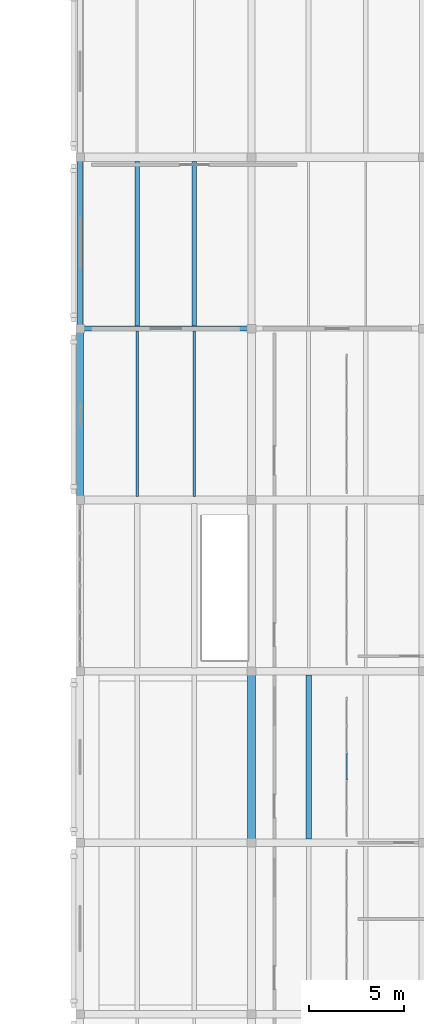
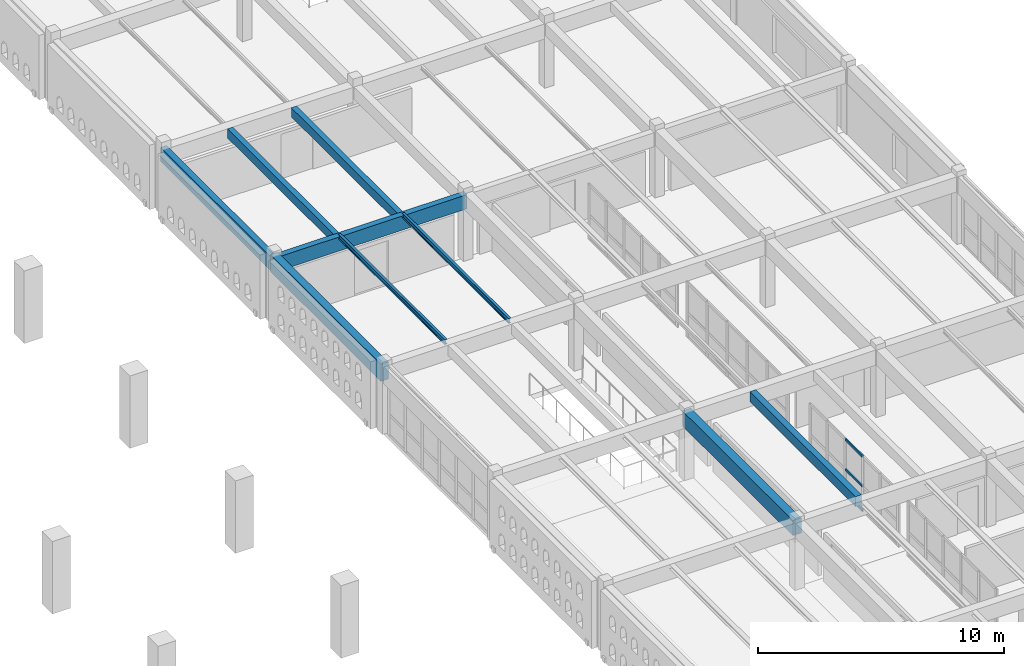
# One storey, part 40 of 80: 9 beams, 3 members, 1 element without a shape of its own.
"""IFC4 building model written with IfcOpenShell, lengths in metres."""

import ifcopenshell
import ifcopenshell.guid

model = None  # the IFC model being written
_history = None  # IfcOwnerHistory: only IFC2X3 demands one
_inside = {}  # id of a spatial element -> (the spatial element, [elements in it])
_under = {}  # id of a project, library or spatial element -> (it, [spatial elements below it])
_declared = {}  # id of a project -> (the project, [libraries it declares])
_typed = {}  # id of a type object -> (the type object, [elements of that type])
_made_of = {}  # id of a material, layer set ... -> (it, [elements and type objects made of it])


def new_model(schema):
    """Start an empty IFC model of exactly this schema.

    Asked for "IFC4X3", IfcOpenShell would pick the latest addendum, in which some entities
    have other attributes; the version numbers below select the first issue.
    IFC2X3 requires an IfcOwnerHistory on every rooted entity: one is made here for all.
    """
    global model, _history
    if schema == "IFC4X3":
        model = ifcopenshell.file(schema_version=(4, 3, 0, 0))
    else:
        model = ifcopenshell.file(schema=schema)
    _inside.clear()
    _under.clear()
    _declared.clear()
    _typed.clear()
    _made_of.clear()
    _history = None
    if model.schema == "IFC2X3":
        org = make("IfcOrganization", Name="unknown")
        user = make(
            "IfcPersonAndOrganization",
            ThePerson=make("IfcPerson", FamilyName="unknown"),
            TheOrganization=org,
        )
        app = make(
            "IfcApplication",
            ApplicationDeveloper=org,
            Version="unknown",
            ApplicationFullName="unknown",
            ApplicationIdentifier="unknown",
        )
        _history = make(
            "IfcOwnerHistory",
            OwningUser=user,
            OwningApplication=app,
            ChangeAction="ADDED",
            CreationDate=0,
        )
    return model


def make(cls, **values):
    """One entity of the class cls with the attributes given. An attribute that is None is left unset."""
    return model.create_entity(
        cls, **{name: value for name, value in values.items() if value is not None}
    )


def rooted(cls, **values):
    """An entity with a GlobalId (a new one), such as an element, a storey or a relation."""
    return make(cls, GlobalId=ifcopenshell.guid.new(), OwnerHistory=_history, **values)


def si_unit(unit_type, name, prefix=None):
    """IfcSIUnit, for example si_unit("LENGTHUNIT", "METRE", prefix="MILLI")."""
    return make("IfcSIUnit", UnitType=unit_type, Prefix=prefix, Name=name)


def assignment(units):
    """IfcUnitAssignment: the units of a project."""
    return None if units is None else make("IfcUnitAssignment", Units=units)


def point(xyz):
    """IfcCartesianPoint."""
    return None if xyz is None else make("IfcCartesianPoint", Coordinates=xyz)


def direction(xyz):
    """IfcDirection."""
    return None if xyz is None else make("IfcDirection", DirectionRatios=xyz)


def frame(location, z_axis=None, x_axis=None):
    """IfcAxis2Placement3D, a coordinate frame: its origin and axes. An axis left out is left unset."""
    return make(
        "IfcAxis2Placement3D",
        Location=point(location),
        Axis=direction(z_axis),
        RefDirection=direction(x_axis),
    )


def frame_2d(location, x_axis=None):
    """IfcAxis2Placement2D, a coordinate frame in the plane: its origin and x axis."""
    return make(
        "IfcAxis2Placement2D", Location=point(location), RefDirection=direction(x_axis)
    )


def origin():
    """The frame at (0, 0, 0) with its axes left unset."""
    return frame((0.0, 0.0, 0.0))


def origin_2d():
    """The frame at (0, 0) in the plane with its x axis left unset."""
    return frame_2d((0.0, 0.0))


def place(relative_to, where):
    """IfcLocalPlacement: puts the frame where relative to a parent placement (None: the world)."""
    return make(
        "IfcLocalPlacement", PlacementRelTo=relative_to, RelativePlacement=where
    )


def context(
    kind, dimensions, precision=None, world=None, true_north=None, identifier=None
):
    """IfcGeometricRepresentationContext, for example the 3D "Model" context."""
    return make(
        "IfcGeometricRepresentationContext",
        ContextIdentifier=identifier,
        ContextType=kind,
        CoordinateSpaceDimension=dimensions,
        Precision=precision,
        WorldCoordinateSystem=world,
        TrueNorth=true_north,
    )


def subcontext(parent, identifier, kind, view, scale=None):
    """IfcGeometricRepresentationSubContext, for example "Body" below "Model"."""
    return make(
        "IfcGeometricRepresentationSubContext",
        ContextIdentifier=identifier,
        ContextType=kind,
        ParentContext=parent,
        TargetScale=scale,
        TargetView=view,
    )


def project(units=None, contexts=None):
    """IfcProject with its units and contexts."""
    return rooted(
        "IfcProject",
        Name="project",
        RepresentationContexts=contexts,
        UnitsInContext=assignment(units),
    )


def spatial(cls, under=None, at=None, **own):
    """A site, building, storey or space (cls), placed at a placement, below another one or the project."""
    s = rooted(cls, ObjectPlacement=at, **own)
    if under is not None:
        _under.setdefault(under.id(), (under, []))[1].append(s)
    return s


def profile(cls, at=None, kind="AREA", **sizes):
    """A parametric profile (cls). Its sizes go by their IFC names, for example OverallWidth=200.0."""
    return make(cls, ProfileType=kind, Position=at, **sizes)


def rectangle(**sizes):
    """IfcRectangleProfileDef."""
    return profile("IfcRectangleProfileDef", **sizes)


def hollow_rectangle(**sizes):
    """IfcRectangleHollowProfileDef."""
    return profile("IfcRectangleHollowProfileDef", **sizes)


def i_section(**sizes):
    """IfcIShapeProfileDef."""
    return profile("IfcIShapeProfileDef", **sizes)


def extrude(swept, where, along, depth):
    """IfcExtrudedAreaSolid: the profile swept, set in the frame where, extruded along a direction by depth."""
    return make(
        "IfcExtrudedAreaSolid",
        SweptArea=swept,
        Position=where,
        ExtrudedDirection=direction(along),
        Depth=depth,
    )


def shape(context_of_items, identifier, shape_type, items):
    """IfcShapeRepresentation: the items that make up one representation, for example the "Body"."""
    return make(
        "IfcShapeRepresentation",
        ContextOfItems=context_of_items,
        RepresentationIdentifier=identifier,
        RepresentationType=shape_type,
        Items=items,
    )


def material(Name=None, Category=None):
    """IfcMaterial."""
    return make("IfcMaterial", Name=Name, Category=Category)


def layer(
    of_material, thickness, ventilated=None, Name=None, Category=None, Priority=None
):
    """IfcMaterialLayer: one layer of a wall or slab, of a material (None: an air gap)."""
    return make(
        "IfcMaterialLayer",
        Material=of_material,
        LayerThickness=thickness,
        IsVentilated=ventilated,
        Name=Name,
        Category=Category,
        Priority=Priority,
    )


def layer_set(layers, Name=None):
    """IfcMaterialLayerSet."""
    return make("IfcMaterialLayerSet", MaterialLayers=layers, LayerSetName=Name)


def material_profile(
    of_material, cross_section, Name=None, Category=None, Priority=None
):
    """IfcMaterialProfile: a cross section and its material."""
    return make(
        "IfcMaterialProfile",
        Name=Name,
        Material=of_material,
        Profile=cross_section,
        Priority=Priority,
        Category=Category,
    )


def profile_set(profiles, Name=None, composite=None):
    """IfcMaterialProfileSet."""
    return make(
        "IfcMaterialProfileSet",
        Name=Name,
        MaterialProfiles=profiles,
        CompositeProfile=composite,
    )


def made_of(thing, what):
    """Note that an element or type object is made of a material, layer set ...; save() writes the relation."""
    if what is not None:
        _made_of.setdefault(what.id(), (what, []))[1].append(thing)
    return thing


def type_object(cls, material=None, **own):
    """A type object (cls), such as IfcWallType, which elements share."""
    return made_of(rooted(cls, **own), material)


def element(
    cls,
    number,
    at=None,
    inside=None,
    cuts=None,
    type_object=None,
    material=None,
    context=None,
    identifier="Body",
    shape_type=None,
    held_by="IfcProductDefinitionShape",
    body=None,
    shapes=None,
    **own,
):
    """One element of the class cls, such as IfcWall. Its Tag is "e" and its number.

    at: its placement. inside: the storey or other place that contains it. cuts: it is an
    opening in that element (IfcRelVoidsElement). A single representation is given by context,
    identifier, shape_type and body (its items); several are given by shapes. held_by: the class
    of the entity that holds the representations. save() writes the other relations.
    """
    e = rooted(cls, Tag="e%d" % number, ObjectPlacement=at, **own)
    if body is not None:
        shapes = [shape(context, identifier, shape_type, body)]
    if shapes is not None:
        e.Representation = make(held_by, Representations=shapes)
    if inside is not None:
        _inside.setdefault(inside.id(), (inside, []))[1].append(e)
    if cuts is not None:
        rooted(
            "IfcRelVoidsElement", RelatingBuildingElement=cuts, RelatedOpeningElement=e
        )
    if type_object is not None:
        _typed.setdefault(type_object.id(), (type_object, []))[1].append(e)
    return made_of(e, material)


def aggregate(whole, parts):
    """IfcRelAggregates: a whole, such as a stair, and the parts it consists of."""
    return rooted("IfcRelAggregates", RelatingObject=whole, RelatedObjects=parts)


def save(model, path):
    """Write the relations noted so far, then the file.

    IfcRelAggregates (storeys below a building ...), IfcRelContainedInSpatialStructure (elements
    in a storey), IfcRelDefinesByType, IfcRelAssociatesMaterial and IfcRelDeclares: one each for
    every whole, place, type object, material and project.
    """
    for whole, parts in _under.values():
        aggregate(whole, parts)
    for where, things in _inside.values():
        rooted(
            "IfcRelContainedInSpatialStructure",
            RelatedElements=things,
            RelatingStructure=where,
        )
    for kind, things in _typed.values():
        rooted("IfcRelDefinesByType", RelatedObjects=things, RelatingType=kind)
    for what, things in _made_of.values():
        rooted("IfcRelAssociatesMaterial", RelatedObjects=things, RelatingMaterial=what)
    for by, libraries in _declared.values():
        rooted("IfcRelDeclares", RelatingContext=by, RelatedDefinitions=libraries)
    model.write(path)


model = new_model("IFC4")

# Units and contexts
model_context = context("Model", 3, precision=1e-05, world=origin(), true_north=direction((0.0, 1.0)))
body_context = subcontext(model_context, "Body", "Model", "MODEL_VIEW")
ifc_project = project(units=[si_unit("LENGTHUNIT", "METRE"), si_unit("AREAUNIT", "SQUARE_METRE"), si_unit("VOLUMEUNIT", "CUBIC_METRE"), si_unit("PLANEANGLEUNIT", "RADIAN"), si_unit("MASSUNIT", "GRAM", prefix="KILO")], contexts=[model_context])

# Site, building, storey
site_placement = place(None, origin())
site = spatial("IfcSite", under=ifc_project, at=site_placement, CompositionType="ELEMENT")
building_placement = place(site_placement, origin())
building = spatial("IfcBuilding", under=site, at=building_placement, Name="Ornek Quay Market", CompositionType="ELEMENT")
storey_placement = place(building_placement, frame((0.0, 0.0, 8.39990234375)))
storey = spatial("IfcBuildingStorey", under=building, at=storey_placement, Name="L02", CompositionType="ELEMENT", Elevation=8.39990234375)

# Beams
ifc_material_1 = material(Name="Concrete C35/45", Category="concrete")
ifc_material_profile_1 = material_profile(ifc_material_1, rectangle(XDim=0.39990234375, YDim=0.75, at=origin_2d()), Name="RC 400x750", Category="concrete")
ifc_profile_set_1 = profile_set([ifc_material_profile_1], Name="Concrete C35/45")
beam_type_1 = type_object("IfcBeamType", Name="BM-CS-400x750", PredefinedType="BEAM", material=ifc_profile_set_1)
beam_1_placement = place(storey_placement, frame((162.0, 38.0, 2.97509765625), z_axis=(0.0, 1.0, 0.0), x_axis=(-1.0, 0.0, 0.0)))
element("IfcBeam", 1, at=beam_1_placement, inside=storey, type_object=beam_type_1, Name="Primary beam B-CS1-072", PredefinedType="BEAM", context=body_context, shape_type="SweptSolid", body=[
    extrude(rectangle(XDim=0.39990234375, YDim=0.75, at=origin_2d()), origin(), (0.0, 0.0, 1.0), 9.0),
])
ifc_material_profile_2 = material_profile(ifc_material_1, rectangle(XDim=0.25, YDim=0.449951171875, at=origin_2d()), Name="RC 250x450", Category="concrete")
ifc_profile_set_2 = profile_set([ifc_material_profile_2], Name="Concrete C35/45")
beam_type_2 = type_object("IfcBeamType", Name="BM-SEC-250x450", PredefinedType="JOIST", material=ifc_profile_set_2)
for number, where, z_axis, x_axis, name in (
    (2, (156.0, 65.132080078125, 2.97509765625), (0.0, 1.0, 0.0), (-1.0, 0.0, 0.0), "Secondary joist B-SC3-037"),
    (3, (159.0, 65.132080078125, 2.97509765625), (0.0, 1.0, 0.0), (-1.0, 0.0, 0.0), "Secondary joist B-SC3-038"),
):
    element("IfcBeam", number, at=place(storey_placement, frame(where, z_axis=z_axis, x_axis=x_axis)), inside=storey, type_object=beam_type_2, Name=name, PredefinedType="JOIST", context=body_context, shape_type="SweptSolid", body=[
        extrude(rectangle(XDim=0.25, YDim=0.449951171875, at=origin_2d()), origin(), (0.0, 0.0, 1.0), 8.65087890625),
    ])
ifc_material_profile_3 = material_profile(ifc_material_1, rectangle(XDim=0.280029296875, YDim=0.5, at=origin_2d()), Name="RC 280x500", Category="concrete")
ifc_profile_set_3 = profile_set([ifc_material_profile_3], Name="Concrete C35/45")
beam_type_3 = type_object("IfcBeamType", Name="BM-SEC-280x500", PredefinedType="JOIST", material=ifc_profile_set_3)
beam_2_placement = place(storey_placement, frame((165.0, 38.19189453125, 3.10009765625), z_axis=(0.0, 1.0, 0.0), x_axis=(-1.0, 0.0, 0.0)))
element("IfcBeam", 4, at=beam_2_placement, inside=storey, type_object=beam_type_3, Name="Secondary joist B-SC2-095", PredefinedType="JOIST", context=body_context, shape_type="SweptSolid", body=[
    extrude(rectangle(XDim=0.280029296875, YDim=0.5, at=origin_2d()), origin(), (0.0, 0.0, 1.0), 8.6162109375),
])
ifc_material_profile_4 = material_profile(ifc_material_1, rectangle(XDim=0.280029296875, YDim=0.699951171875, at=origin_2d()), Name="RC 280x700", Category="concrete")
ifc_profile_set_4 = profile_set([ifc_material_profile_4], Name="Concrete C35/45")
beam_type_4 = type_object("IfcBeamType", Name="BM-SPN-280x700", PredefinedType="SPANDREL", material=ifc_profile_set_4)
for number, where, z_axis, x_axis, name in (
    (5, (153.0, 65.0, 2.85009765625), (1.0, 0.0, 0.0), (0.0, 1.0, 0.0), "Primary beam B-SP2-087"),
    (6, (153.0, 65.0, 2.85009765625), (0.0, 1.0, 0.0), (-1.0, 0.0, 0.0), "Primary beam B-SP2-093"),
):
    element("IfcBeam", number, at=place(storey_placement, frame(where, z_axis=z_axis, x_axis=x_axis)), inside=storey, type_object=beam_type_4, Name=name, PredefinedType="SPANDREL", context=body_context, shape_type="SweptSolid", body=[
        extrude(rectangle(XDim=0.280029296875, YDim=0.699951171875, at=origin_2d()), origin(), (0.0, 0.0, 1.0), 9.0),
    ])
ifc_material_2 = material(Name="Concrete C40/50", Category="concrete")
ifc_material_profile_5 = material_profile(ifc_material_2, rectangle(XDim=0.35009765625, YDim=0.85009765625, at=origin_2d()), Name="RC 350x850", Category="concrete")
ifc_profile_set_5 = profile_set([ifc_material_profile_5], Name="Concrete C40/50")
beam_type_5 = type_object("IfcBeamType", Name="BM-SPN-350x850", PredefinedType="SPANDREL", material=ifc_profile_set_5)
beam_3_placement = place(storey_placement, frame((153.0, 56.0, 2.925048828125), z_axis=(0.0, 1.0, 0.0), x_axis=(-1.0, 0.0, 0.0)))
element("IfcBeam", 7, at=beam_3_placement, inside=storey, type_object=beam_type_5, Name="Primary beam B-SP1-154", PredefinedType="SPANDREL", context=body_context, shape_type="SweptSolid", body=[
    extrude(rectangle(XDim=0.35009765625, YDim=0.85009765625, at=origin_2d()), origin(), (0.0, 0.0, 1.0), 9.0),
])
ifc_material_3 = material(Name="Steel S355", Category="steel")
ifc_material_profile_6 = material_profile(ifc_material_3, i_section(OverallWidth=0.1201171875, OverallDepth=0.239990234375, WebThickness=0.006103515625, FlangeThickness=0.009765625, FilletRadius=0.014892578125, at=origin_2d()), Name="IPE 240", Category="steel")
ifc_profile_set_6 = profile_set([ifc_material_profile_6], Name="Steel S355")
beam_type_6 = type_object("IfcBeamType", Name="BM-STL-IPE240", PredefinedType="JOIST", material=ifc_profile_set_6)
for number, where, z_axis, x_axis, name in (
    (8, (156.0, 56.19189453125, 3.22998046875), (0.0, 1.0, 0.0), (-1.0, 0.0, 0.0), "Secondary joist SB-04-055"),
    (9, (159.0, 56.19189453125, 3.22998046875), (0.0, 1.0, 0.0), (-1.0, 0.0, 0.0), "Secondary joist SB-04-056"),
):
    element("IfcBeam", number, at=place(storey_placement, frame(where, z_axis=z_axis, x_axis=x_axis)), inside=storey, type_object=beam_type_6, Name=name, PredefinedType="JOIST", context=body_context, shape_type="SweptSolid", body=[
        extrude(i_section(OverallWidth=0.1201171875, OverallDepth=0.239990234375, WebThickness=0.006103515625, FlangeThickness=0.009765625, FilletRadius=0.014892578125, at=origin_2d()), origin(), (0.0, 0.0, 1.0), 8.676025390625),
    ])

# Curtain wall, members
ifc_material_4 = material(Name="Anodised bronze aluminium and triple low-e glass", Category="aluminium")
ifc_layer = layer(ifc_material_4, 0.139892578125, Name="Anodised bronze aluminium and triple low-e glass", Category="aluminium")
ifc_layer_set = layer_set([ifc_layer], Name="Anodised bronze aluminium and triple low-e glass")
curtain_wall_type = type_object("IfcCurtainWallType", Name="CW-GALLERY-INT", PredefinedType="USERDEFINED", material=ifc_layer_set)
curtain_wall_placement = place(storey_placement, origin())
curtain_wall = element("IfcCurtainWall", 10, at=curtain_wall_placement, inside=storey, type_object=curtain_wall_type, Name="Curtain wall CW-168", ObjectType="CURTAIN WALL", PredefinedType="USERDEFINED")
ifc_material_5 = material(Name="Anodised aluminium 6063-T6", Category="aluminium")
ifc_material_profile_7 = material_profile(ifc_material_5, hollow_rectangle(XDim=0.06005859375, YDim=0.1201171875, WallThickness=0.00390625, at=origin_2d()), Name="CW-TRN-60x120", Category="aluminium")
ifc_profile_set_7 = profile_set([ifc_material_profile_7], Name="Anodised aluminium 6063-T6")
member_type = type_object("IfcMemberType", Name="CW-TRN-60x120", PredefinedType="USERDEFINED", material=ifc_profile_set_7)
member_1_placement = place(storey_placement, frame((167.0, 41.31005859375, 0.030029296875), z_axis=(0.0, 1.0, 0.0), x_axis=(-1.0, 0.0, 0.0)))
member_1 = element("IfcMember", 11, at=member_1_placement, type_object=member_type, Name="CW-168 transom 3.1", ObjectType="TRANSOM", PredefinedType="USERDEFINED", context=body_context, shape_type="SweptSolid", body=[
    extrude(hollow_rectangle(XDim=0.06005859375, YDim=0.1201171875, WallThickness=0.00390625, at=origin_2d()), origin(), (0.0, 0.0, 1.0), 1.3798828125),
])
member_2_placement = place(storey_placement, frame((167.0, 41.31005859375, 1.237548828125), z_axis=(0.0, 1.0, 0.0), x_axis=(-1.0, 0.0, 0.0)))
member_2 = element("IfcMember", 12, at=member_2_placement, type_object=member_type, Name="CW-168 transom 3.2", ObjectType="TRANSOM", PredefinedType="USERDEFINED", context=body_context, shape_type="SweptSolid", body=[
    extrude(hollow_rectangle(XDim=0.06005859375, YDim=0.1201171875, WallThickness=0.00390625, at=origin_2d()), origin(), (0.0, 0.0, 1.0), 1.3798828125),
])
member_3_placement = place(storey_placement, frame((167.0, 41.31005859375, 2.72021484375), z_axis=(0.0, 1.0, 0.0), x_axis=(-1.0, 0.0, 0.0)))
member_3 = element("IfcMember", 13, at=member_3_placement, type_object=member_type, Name="CW-168 transom 3.3", ObjectType="TRANSOM", PredefinedType="USERDEFINED", context=body_context, shape_type="SweptSolid", body=[
    extrude(hollow_rectangle(XDim=0.06005859375, YDim=0.1201171875, WallThickness=0.00390625, at=origin_2d()), origin(), (0.0, 0.0, 1.0), 1.3798828125),
])
aggregate(curtain_wall, [member_1, member_2, member_3])

save(model, "model.ifc")
